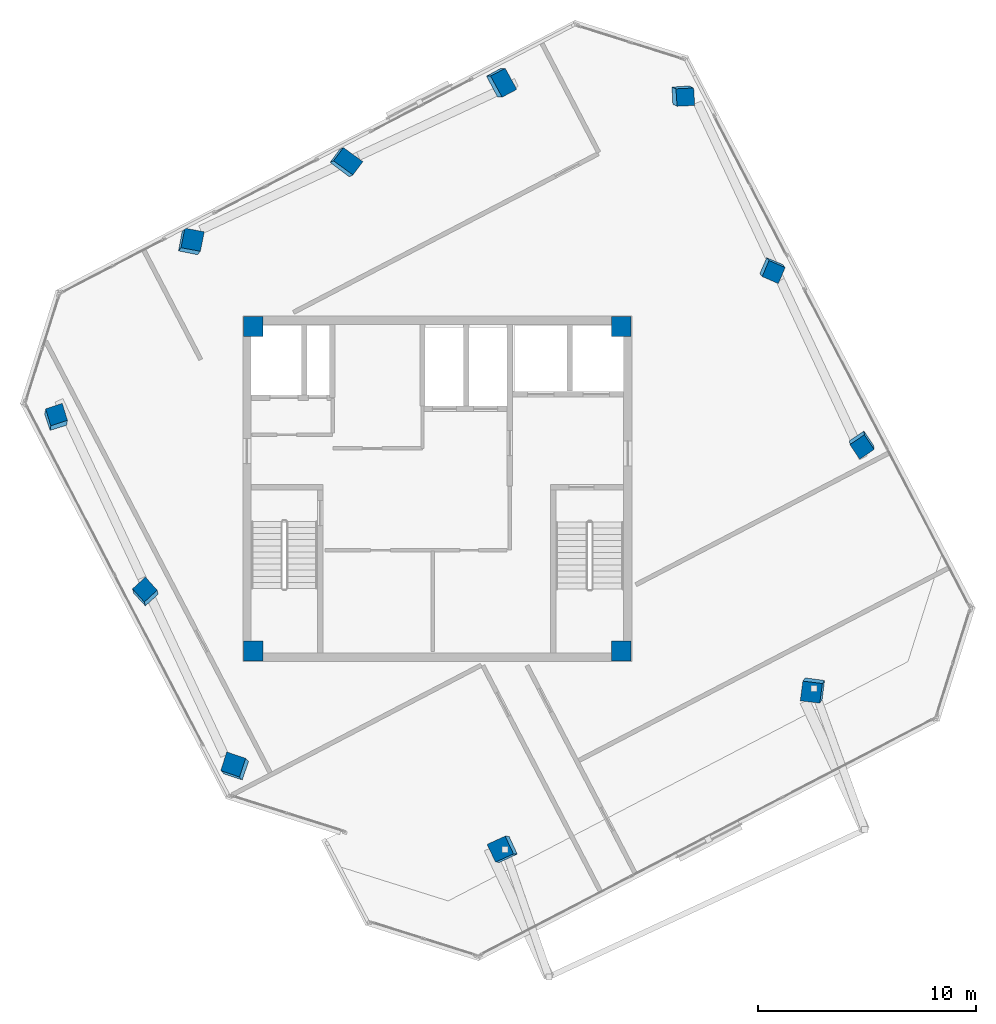
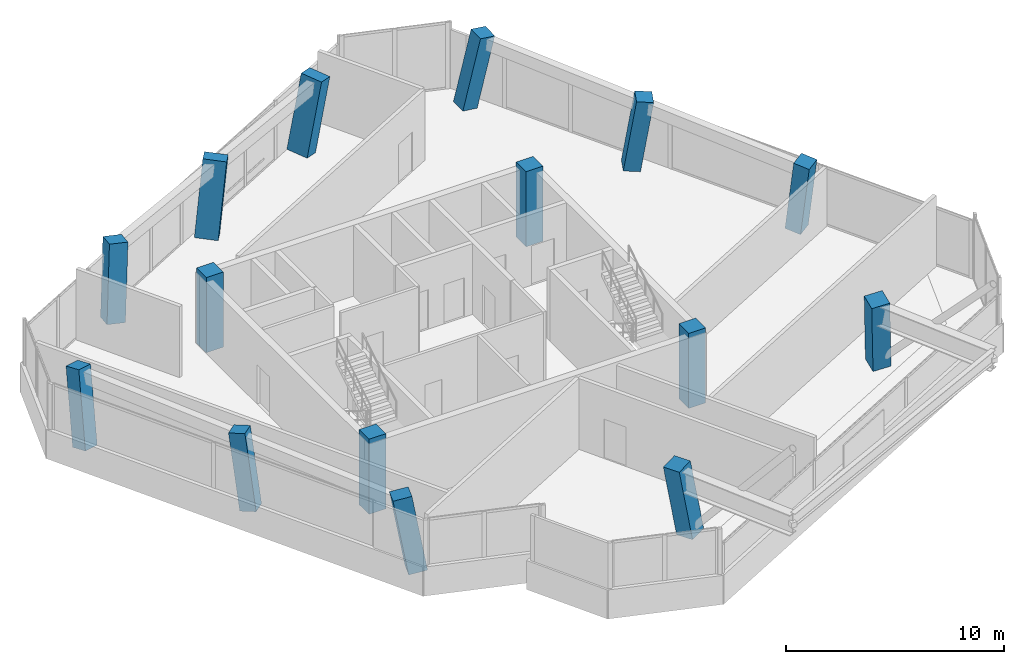
# One storey, part 1 of 16: 15 columns.
"""IFC4 building model written with IfcOpenShell, lengths in metres."""

from ifc_helpers import new_model, si_unit, direction, frame, origin, origin_2d, place, context, subcontext, project, spatial, rectangle, extrude, clip, halfspace, source, transform, mapped, material, material_profile, profile_set, type_object, element, save


model = new_model("IFC4")

# Units and contexts
model_context = context("Model", 3, precision=1e-05, world=origin(), true_north=direction((0.0, 1.0)))
body_context = subcontext(model_context, "Body", "Model", "MODEL_VIEW")
ifc_project = project(units=[si_unit("LENGTHUNIT", "METRE"), si_unit("AREAUNIT", "SQUARE_METRE"), si_unit("VOLUMEUNIT", "CUBIC_METRE"), si_unit("PLANEANGLEUNIT", "RADIAN"), si_unit("MASSUNIT", "GRAM", prefix="KILO")], contexts=[model_context])

# Site, building, storey
site_placement = place(None, origin())
site = spatial("IfcSite", under=ifc_project, at=site_placement, CompositionType="ELEMENT")
building_placement = place(site_placement, origin())
building = spatial("IfcBuilding", under=site, at=building_placement, Name="Torre Montelarca", CompositionType="ELEMENT")
storey_placement = place(building_placement, frame((0.0, 0.0, 336.60009765625)))
storey = spatial("IfcBuildingStorey", under=building, at=storey_placement, Name="L76", CompositionType="ELEMENT", Elevation=336.60009765625)

# Columns
ifc_material_1 = material(Name="Concrete C40/50", Category="concrete")
ifc_material_profile_1 = material_profile(ifc_material_1, rectangle(XDim=0.75, YDim=1.10009765625, at=origin_2d()), Name="RC1100X750", Category="concrete")
ifc_profile_set_1 = profile_set([ifc_material_profile_1], Name="Concrete C40/50")
column_type_1 = type_object("IfcColumnType", Name="COL-PIL1100-EXT", PredefinedType="PILASTER", material=ifc_profile_set_1)
column_1_placement = place(storey_placement, frame((13.719482421875, 46.946044921875, 0.0), z_axis=(0.154655556281, 0.076268493508, 0.985020190559), x_axis=(-0.579389286585, -0.80057025334, 0.15295530085)))
element("IfcColumn", 1, at=column_1_placement, inside=storey, type_object=column_type_1, Name="L76 Column 1W/E", PredefinedType="PILASTER", context=body_context, shape_type="Clipping", body=[
    clip(clip(extrude(rectangle(XDim=0.75, YDim=1.10009765625, at=origin_2d()), origin(), (0.0, 0.0, 1.0), 4.263916015625), halfspace(frame((0.0, 0.0, 0.103515625), z_axis=(0.0, 0.0, -1.0), x_axis=(1.0, 0.0, 0.0)), False)), halfspace(frame((0.0, 0.0, 4.160400390625), z_axis=(0.0, 0.0, 1.0), x_axis=(1.0, 0.0, 0.0)), False)),
])
column_2_placement = place(storey_placement, frame((20.815673828125, 50.64013671875, 0.0), z_axis=(0.190207475329, 0.00279632952, 0.981739933419), x_axis=(-0.86393221567, -0.474499583825, 0.16873432276)))
element("IfcColumn", 2, at=column_2_placement, inside=storey, type_object=column_type_1, Name="L76 Column 1W/F", PredefinedType="PILASTER", context=body_context, shape_type="Clipping", body=[
    clip(clip(extrude(rectangle(XDim=0.75, YDim=1.10009765625, at=origin_2d()), origin(), (0.0, 0.0, 1.0), 4.278076171875), halfspace(frame((0.0, 0.0, 0.114501953125), z_axis=(0.0, 0.0, -1.0), x_axis=(1.0, 0.0, 0.0)), False)), halfspace(frame((0.0, 0.0, 4.16357421875), z_axis=(0.0, 0.0, 1.0), x_axis=(1.0, 0.0, 0.0)), False)),
])
ifc_material_profile_2 = material_profile(ifc_material_1, rectangle(XDim=0.800048828125, YDim=0.800048828125, at=origin_2d()), Name="RC800X800", Category="concrete")
ifc_profile_set_2 = profile_set([ifc_material_profile_2], Name="Concrete C40/50")
column_type_2 = type_object("IfcColumnType", Name="COL-RC800-EXT", PredefinedType="COLUMN", material=ifc_profile_set_2)
column_3_placement = place(storey_placement, frame((0.4716796875, 35.1455078125, 0.0), z_axis=(0.03655416982, 0.212570444061, 0.976461775483), x_axis=(0.308281350475, -0.931857999883, 0.191319829091)))
element("IfcColumn", 3, at=column_3_placement, inside=storey, type_object=column_type_2, Name="L76 Column 2/CS", PredefinedType="COLUMN", context=body_context, shape_type="Clipping", body=[
    clip(clip(extrude(rectangle(XDim=0.800048828125, YDim=0.800048828125, at=origin_2d()), origin(), (0.0, 0.0, 1.0), 4.30126953125), halfspace(frame((0.0, 0.0, 0.119873046875), z_axis=(0.0, 0.0, -1.0), x_axis=(1.0, 0.0, 0.0)), False)), halfspace(frame((0.0, 0.0, 4.181396484375), z_axis=(0.0, 0.0, 1.0), x_axis=(1.0, 0.0, 0.0)), False)),
])
column_4_placement = place(storey_placement, frame((29.16650390625, 50.0830078125, 0.0), z_axis=(0.18226095399, -0.082017429296, 0.979823497341), x_axis=(-0.982049119472, -0.064424780936, 0.177282189023)))
element("IfcColumn", 4, at=column_4_placement, inside=storey, type_object=column_type_2, Name="L76 Column 2/GN", PredefinedType="COLUMN", context=body_context, shape_type="Clipping", body=[
    clip(clip(extrude(rectangle(XDim=0.800048828125, YDim=0.800048828125, at=origin_2d()), origin(), (0.0, 0.0, 1.0), 4.286376953125), halfspace(frame((0.0, 0.0, 0.11083984375), z_axis=(0.0, 0.0, -1.0), x_axis=(1.0, 0.0, 0.0)), False)), halfspace(frame((0.0, 0.0, 4.175537109375), z_axis=(0.0, 0.0, 1.0), x_axis=(1.0, 0.0, 0.0)), False)),
])
column_5_placement = place(storey_placement, frame((4.627197265625, 27.16259765625, 0.0), z_axis=(-0.045635098357, 0.17344768586, 0.983785209315), x_axis=(0.668587973504, -0.726417077896, 0.159085985009)))
element("IfcColumn", 5, at=column_5_placement, inside=storey, type_object=column_type_2, Name="L76 Column 3/CS", PredefinedType="COLUMN", context=body_context, shape_type="Clipping", body=[
    clip(clip(extrude(rectangle(XDim=0.800048828125, YDim=0.800048828125, at=origin_2d()), origin(), (0.0, 0.0, 1.0), 4.269287109375), halfspace(frame((0.0, 0.0, 0.09912109375), z_axis=(0.0, 0.0, -1.0), x_axis=(1.0, 0.0, 0.0)), False)), halfspace(frame((0.0, 0.0, 4.170166015625), z_axis=(0.0, 0.0, 1.0), x_axis=(1.0, 0.0, 0.0)), False)),
])
column_6_placement = place(storey_placement, frame((33.322021484375, 42.10009765625, 0.0), z_axis=(0.10094063748, -0.123493036871, 0.987198286845), x_axis=(-0.911686474115, 0.385761896304, 0.141476260467)))
element("IfcColumn", 6, at=column_6_placement, inside=storey, type_object=column_type_2, Name="L76 Column 3/GN", PredefinedType="COLUMN", context=body_context, shape_type="Clipping", body=[
    clip(clip(extrude(rectangle(XDim=0.800048828125, YDim=0.800048828125, at=origin_2d()), origin(), (0.0, 0.0, 1.0), 4.25439453125), halfspace(frame((0.0, 0.0, 0.087890625), z_axis=(0.0, 0.0, -1.0), x_axis=(1.0, 0.0, 0.0)), False)), halfspace(frame((0.0, 0.0, 4.16650390625), z_axis=(0.0, 0.0, 1.0), x_axis=(1.0, 0.0, 0.0)), False)),
])
column_7_placement = place(storey_placement, frame((37.477783203125, 34.116943359375, 0.0), z_axis=(0.018116698003, -0.164139577159, 0.986270746024), x_axis=(-0.55493718977, 0.818894980127, 0.146477735283)))
element("IfcColumn", 7, at=column_7_placement, inside=storey, type_object=column_type_2, Name="L76 Column 4/GN", PredefinedType="COLUMN", context=body_context, shape_type="Clipping", body=[
    clip(clip(extrude(rectangle(XDim=0.800048828125, YDim=0.800048828125, at=origin_2d()), origin(), (0.0, 0.0, 1.0), 4.25830078125), halfspace(frame((0.0, 0.0, 0.091064453125), z_axis=(0.0, 0.0, -1.0), x_axis=(1.0, 0.0, 0.0)), False)), halfspace(frame((0.0, 0.0, 4.167236328125), z_axis=(0.0, 0.0, 1.0), x_axis=(1.0, 0.0, 0.0)), False)),
])
ifc_material_2 = material(Name="Concrete C55/67", Category="concrete")
ifc_material_profile_3 = material_profile(ifc_material_2, rectangle(XDim=0.89990234375, YDim=0.89990234375, at=origin_2d()), Name="RC900X900", Category="concrete")
ifc_profile_set_3 = profile_set([ifc_material_profile_3], Name="Concrete C55/67")
column_type_3 = type_object("IfcColumnType", Name="COL-RC900-EXT", PredefinedType="COLUMN", material=ifc_profile_set_3)
column_8_placement = place(storey_placement, frame((8.782958984375, 19.179443359375, 0.0), z_axis=(-0.128034783352, 0.132662546605, 0.982856929049), x_axis=(0.937669793339, -0.306644177065, 0.16353809138)))
element("IfcColumn", 8, at=column_8_placement, inside=storey, type_object=column_type_3, Name="L76 Column 4/CS", PredefinedType="COLUMN", context=body_context, shape_type="Clipping", body=[
    clip(clip(extrude(rectangle(XDim=0.89990234375, YDim=0.89990234375, at=origin_2d()), origin(), (0.0, 0.0, 1.0), 4.273193359375), halfspace(frame((0.0, 0.0, 0.114501953125), z_axis=(0.0, 0.0, -1.0), x_axis=(1.0, 0.0, 0.0)), False)), halfspace(frame((0.0, 0.0, 4.15869140625), z_axis=(0.0, 0.0, 1.0), x_axis=(1.0, 0.0, 0.0)), False)),
])
for number, where, z_axis, x_axis, name in (
    (9, (21.099365234375, 15.4443359375, 0.0), (-0.169399115876, 0.007791099005, 0.9855167367), (0.894455494481, 0.421098429238, 0.150417689403), "L76 Column 5/D"),
    (10, (35.29150390625, 22.832275390625, 0.0), (-0.096931121097, -0.139095013017, 0.985523685721), (0.120960440778, 0.981200217572, 0.150381863283), "L76 Column 5/F"),
):
    element("IfcColumn", number, at=place(storey_placement, frame(where, z_axis=z_axis, x_axis=x_axis)), inside=storey, type_object=column_type_3, Name=name, PredefinedType="COLUMN", context=body_context, shape_type="Clipping", body=[
        clip(clip(extrude(rectangle(XDim=0.89990234375, YDim=0.89990234375, at=origin_2d()), origin(), (0.0, 0.0, 1.0), 4.26171875), halfspace(frame((0.0, 0.0, 0.105224609375), z_axis=(0.0, 0.0, -1.0), x_axis=(1.0, 0.0, 0.0)), False)), halfspace(frame((0.0, 0.0, 4.156494140625), z_axis=(0.0, 0.0, 1.0), x_axis=(1.0, 0.0, 0.0)), False)),
    ])
column_9_placement = place(storey_placement, frame((6.623291015625, 43.252197265625, 0.0), z_axis=(0.118073112973, 0.14917502045, 0.981735989595), x_axis=(-0.178387550389, -0.969381512931, 0.168752375548)))
element("IfcColumn", 11, at=column_9_placement, inside=storey, type_object=column_type_3, Name="L76 Column 1W/D", PredefinedType="COLUMN", context=body_context, shape_type="Clipping", body=[
    clip(clip(extrude(rectangle(XDim=0.89990234375, YDim=0.89990234375, at=origin_2d()), origin(), (0.0, 0.0, 1.0), 4.278076171875), halfspace(frame((0.0, 0.0, 0.118408203125), z_axis=(0.0, 0.0, -1.0), x_axis=(1.0, 0.0, 0.0)), False)), halfspace(frame((0.0, 0.0, 4.15966796875), z_axis=(0.0, 0.0, 1.0), x_axis=(1.0, 0.0, 0.0)), False)),
])
ifc_material_profile_4 = material_profile(ifc_material_2, rectangle(XDim=0.89990234375, YDim=0.89990234375, at=origin_2d()), Name="RC900X900", Category="concrete")
ifc_profile_set_4 = profile_set([ifc_material_profile_4], Name="Concrete C55/67")
column_type_4 = type_object("IfcColumnType", Name="COL-RC900", PredefinedType="COLUMN", material=ifc_profile_set_4)
shared_shape = source(origin(), body_context, "Body", "SweptSolid", [
    extrude(rectangle(XDim=0.89990234375, YDim=0.89990234375, at=origin_2d()), origin(), (0.0, 0.0, 1.0), 4.198486328125),
])
for number, where, z_axis, x_axis, name in (
    (12, (9.550048828125, 24.550048828125, 0.000732421875), (0.0, 0.0, 1.0), (1.0, 0.0, 0.0), "L76 Plumb Core Corner Column 2D"),
    (13, (26.449951171875, 24.550048828125, 0.000732421875), (0.0, 0.0, 1.0), (1.0, 0.0, 0.0), "L76 Plumb Core Corner Column 4D"),
    (14, (9.550048828125, 39.449951171875, 0.000732421875), (0.0, 0.0, 1.0), (1.0, 0.0, 0.0), "L76 Plumb Core Corner Column 2F"),
    (15, (26.449951171875, 39.449951171875, 0.000732421875), (0.0, 0.0, 1.0), (1.0, 0.0, 0.0), "L76 Plumb Core Corner Column 4F"),
):
    element("IfcColumn", number, at=place(storey_placement, frame(where, z_axis=z_axis, x_axis=x_axis)), inside=storey, type_object=column_type_4, Name=name, PredefinedType="COLUMN", context=body_context, shape_type="MappedRepresentation", body=[
        mapped(shared_shape, transform((0.0, 0.0, 0.0), scale=1.0)),
    ])

save(model, "model.ifc")
